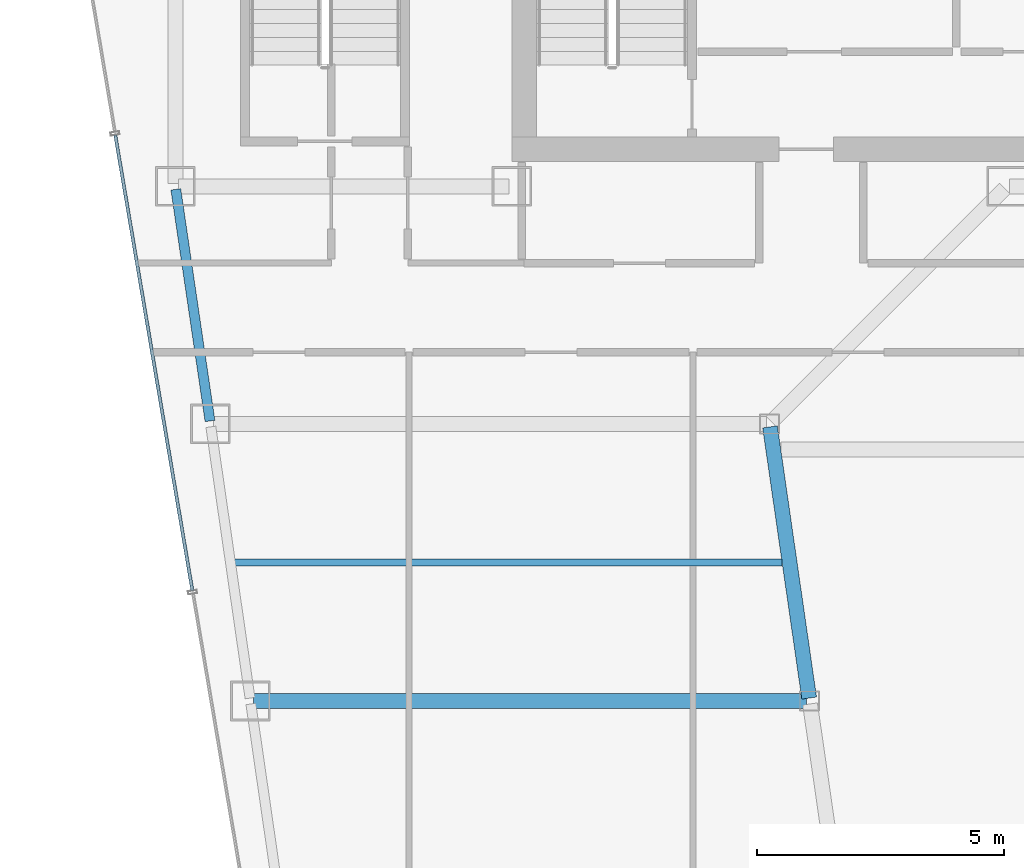
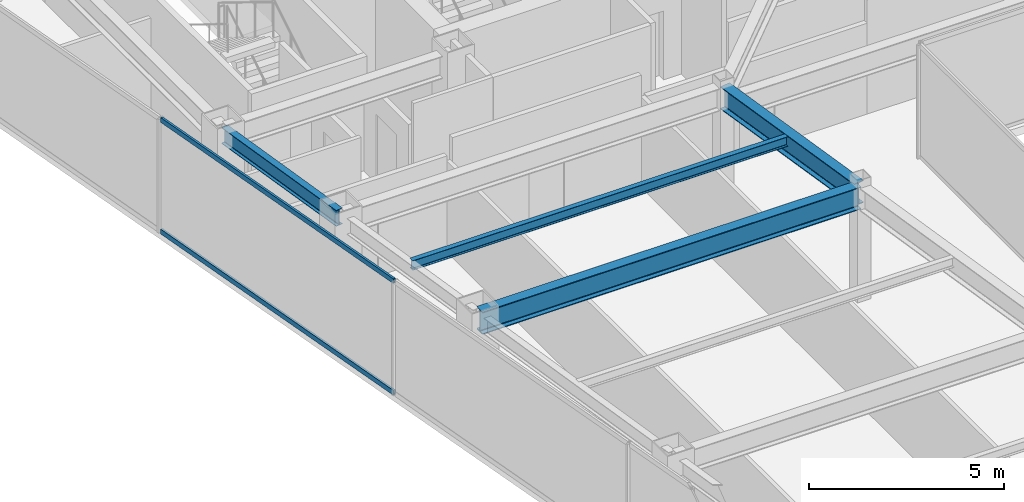
# One storey, part 10 of 36: 4 beams, 2 members, 1 element without a shape of its own.
"""IFC4 building model written with IfcOpenShell, lengths in metres."""

from ifc_helpers import new_model, si_unit, direction, frame, origin, origin_2d, place, context, subcontext, project, spatial, hollow_rectangle, i_section, extrude, material, material_profile, profile_set, type_object, element, aggregate, save


model = new_model("IFC4")

# Units and contexts
model_context = context("Model", 3, precision=1e-05, world=origin(), true_north=direction((0.0, 1.0)))
body_context = subcontext(model_context, "Body", "Model", "MODEL_VIEW")
ifc_project = project(units=[si_unit("LENGTHUNIT", "METRE"), si_unit("AREAUNIT", "SQUARE_METRE"), si_unit("VOLUMEUNIT", "CUBIC_METRE"), si_unit("PLANEANGLEUNIT", "RADIAN"), si_unit("MASSUNIT", "GRAM", prefix="KILO")], contexts=[model_context])

# Site, building, storey
site_placement = place(None, origin())
site = spatial("IfcSite", under=ifc_project, at=site_placement, CompositionType="ELEMENT")
building_placement = place(site_placement, origin())
building = spatial("IfcBuilding", under=site, at=building_placement, Name="Saevonmaru Cultural Tower", CompositionType="ELEMENT")
storey_placement = place(building_placement, frame((0.0, 0.0, 205.60009765625)))
storey = spatial("IfcBuildingStorey", under=building, at=storey_placement, Name="L47", CompositionType="ELEMENT", Elevation=205.60009765625)

# Beams
ifc_material_1 = material(Name="Steel SM355", Category="steel")
ifc_material_profile_1 = material_profile(ifc_material_1, i_section(OverallWidth=0.300048828125, OverallDepth=0.699951171875, WebThickness=0.012939453125, FlangeThickness=0.02392578125, FilletRadius=0.02587890625, at=origin_2d()), Name="H-700x300x13x24")
ifc_profile_set_1 = profile_set([ifc_material_profile_1], Name="Steel SM355")
beam_type_1 = type_object("IfcBeamType", Name="BM-G-H700", PredefinedType="BEAM", material=ifc_profile_set_1)
beam_1_placement = place(storey_placement, frame((19.6083984375, 32.059326171875, 3.199951171875), z_axis=(-0.142964121327, 0.989727871697, 0.0), x_axis=(-0.989727871697, -0.142964121327, 0.0)))
element("IfcBeam", 1, at=beam_1_placement, inside=storey, type_object=beam_type_1, Name="L47 West Atrium Girder 3", PredefinedType="BEAM", context=body_context, shape_type="SweptSolid", body=[
    extrude(i_section(OverallWidth=0.300048828125, OverallDepth=0.699951171875, WebThickness=0.012939453125, FlangeThickness=0.02392578125, FilletRadius=0.02587890625, at=origin_2d()), origin(), (0.0, 0.0, 1.0), 5.5380859375),
])
beam_2_placement = place(storey_placement, frame((8.376953125, 32.0, 3.199951171875), z_axis=(1.0, 0.0, 0.0), x_axis=(0.0, 1.0, 0.0)))
element("IfcBeam", 2, at=beam_2_placement, inside=storey, type_object=beam_type_1, Name="L47 West Wing Transverse Girder 3", PredefinedType="BEAM", context=body_context, shape_type="SweptSolid", body=[
    extrude(i_section(OverallWidth=0.300048828125, OverallDepth=0.699951171875, WebThickness=0.012939453125, FlangeThickness=0.02392578125, FilletRadius=0.02587890625, at=origin_2d()), origin(), (0.0, 0.0, 1.0), 11.179931640625),
])
ifc_material_profile_2 = material_profile(ifc_material_1, i_section(OverallWidth=0.14990234375, OverallDepth=0.300048828125, WebThickness=0.006591796875, FlangeThickness=0.009033203125, FilletRadius=0.012939453125, at=origin_2d()), Name="H-300x150x6.5x9")
ifc_profile_set_2 = profile_set([ifc_material_profile_2], Name="Steel SM355")
beam_type_2 = type_object("IfcBeamType", Name="BM-J-H300", PredefinedType="JOIST", material=ifc_profile_set_2)
beam_3_placement = place(storey_placement, frame((7.972412109375, 34.800048828125, 3.39990234375), z_axis=(1.0, 0.0, 0.0), x_axis=(0.0, 1.0, 0.0)))
element("IfcBeam", 3, at=beam_3_placement, inside=storey, type_object=beam_type_2, Name="L47 West Wing Floor Joist 3", PredefinedType="JOIST", context=body_context, shape_type="SweptSolid", body=[
    extrude(i_section(OverallWidth=0.14990234375, OverallDepth=0.300048828125, WebThickness=0.006591796875, FlangeThickness=0.009033203125, FilletRadius=0.012939453125, at=origin_2d()), origin(), (0.0, 0.0, 1.0), 11.08203125),
])
ifc_material_profile_3 = material_profile(ifc_material_1, i_section(OverallWidth=0.199951171875, OverallDepth=0.5, WebThickness=0.010009765625, FlangeThickness=0.01611328125, FilletRadius=0.02001953125, at=origin_2d()), Name="H-500x200x10x16")
ifc_profile_set_3 = profile_set([ifc_material_profile_3], Name="Steel SM355")
beam_type_3 = type_object("IfcBeamType", Name="BM-SP-H500", PredefinedType="SPANDREL", material=ifc_profile_set_3)
beam_4_placement = place(storey_placement, frame((7.499267578125, 37.659423828125, 3.2998046875), z_axis=(-0.145912860028, 0.989297446312, 0.0), x_axis=(-0.989297446312, -0.145912860028, 0.0)))
element("IfcBeam", 4, at=beam_4_placement, inside=storey, type_object=beam_type_3, Name="L47 West Splayed Spandrel 4", PredefinedType="SPANDREL", context=body_context, shape_type="SweptSolid", body=[
    extrude(i_section(OverallWidth=0.199951171875, OverallDepth=0.5, WebThickness=0.010009765625, FlangeThickness=0.01611328125, FilletRadius=0.02001953125, at=origin_2d()), origin(), (0.0, 0.0, 1.0), 4.731689453125),
])

# Curtain wall, members
ifc_material_2 = material(Name="Satin Bronze Anodised Aluminium", Category="aluminium")
curtain_wall_type = type_object("IfcCurtainWallType", Name="CW-TYP-B", PredefinedType="NOTDEFINED", material=ifc_material_2)
curtain_wall_placement = place(storey_placement, origin())
curtain_wall = element("IfcCurtainWall", 5, at=curtain_wall_placement, inside=storey, type_object=curtain_wall_type, Name="L47 Unitised Curtain Wall E12", PredefinedType="NOTDEFINED")
ifc_material_profile_4 = material_profile(ifc_material_2, hollow_rectangle(XDim=0.06494140625, YDim=0.14990234375, WallThickness=0.00390625, at=origin_2d()), Name="ALU-TRAN-150x65x4")
ifc_profile_set_4 = profile_set([ifc_material_profile_4], Name="Satin Bronze Anodised Aluminium")
member_type = type_object("IfcMemberType", Name="TR-CW-150x65", PredefinedType="USERDEFINED", material=ifc_profile_set_4)
member_1_placement = place(storey_placement, frame((5.5849609375, 43.4384765625, 0.032470703125), z_axis=(0.166916960754, -0.985970957084, 0.0), x_axis=(0.985970957084, 0.166916960754, 0.0)))
member_1 = element("IfcMember", 6, at=member_1_placement, type_object=member_type, Name="CW-TW-L47-E12 transom 2.1", ObjectType="TRANSOM", PredefinedType="USERDEFINED", context=body_context, shape_type="SweptSolid", body=[
    extrude(hollow_rectangle(XDim=0.06494140625, YDim=0.14990234375, WallThickness=0.00390625, at=origin_2d()), origin(), (0.0, 0.0, 1.0), 9.337646484375),
])
member_2_placement = place(storey_placement, frame((5.5849609375, 43.4384765625, 3.517333984375), z_axis=(0.166916960754, -0.985970957084, 0.0), x_axis=(0.985970957084, 0.166916960754, 0.0)))
member_2 = element("IfcMember", 7, at=member_2_placement, type_object=member_type, Name="CW-TW-L47-E12 transom 2.2", ObjectType="TRANSOM", PredefinedType="USERDEFINED", context=body_context, shape_type="SweptSolid", body=[
    extrude(hollow_rectangle(XDim=0.06494140625, YDim=0.14990234375, WallThickness=0.00390625, at=origin_2d()), origin(), (0.0, 0.0, 1.0), 9.337646484375),
])
aggregate(curtain_wall, [member_1, member_2])

save(model, "model.ifc")
